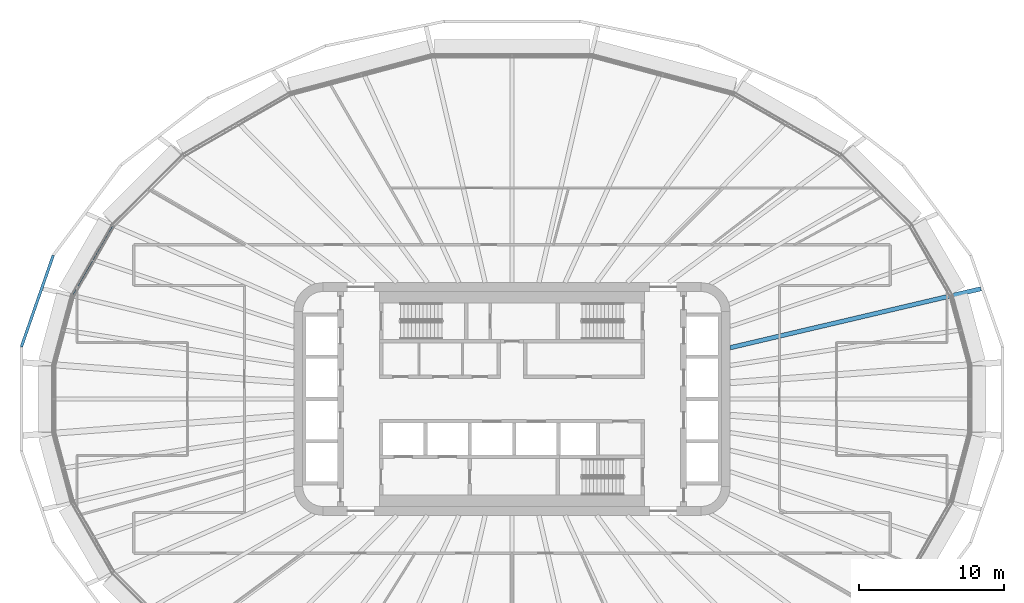
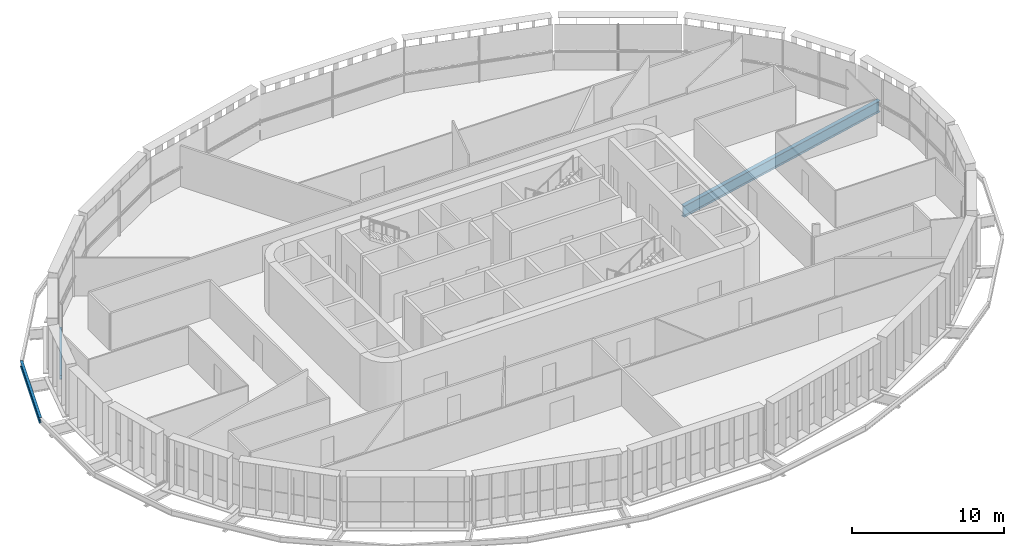
# One storey, part 6 of 25: 3 beams.
"""IFC4 building model written with IfcOpenShell, lengths in metres."""

import ifcopenshell
import ifcopenshell.guid

model = None  # the IFC model being written
_history = None  # IfcOwnerHistory: only IFC2X3 demands one
_inside = {}  # id of a spatial element -> (the spatial element, [elements in it])
_under = {}  # id of a project, library or spatial element -> (it, [spatial elements below it])
_declared = {}  # id of a project -> (the project, [libraries it declares])
_typed = {}  # id of a type object -> (the type object, [elements of that type])
_made_of = {}  # id of a material, layer set ... -> (it, [elements and type objects made of it])


def new_model(schema):
    """Start an empty IFC model of exactly this schema.

    Asked for "IFC4X3", IfcOpenShell would pick the latest addendum, in which some entities
    have other attributes; the version numbers below select the first issue.
    IFC2X3 requires an IfcOwnerHistory on every rooted entity: one is made here for all.
    """
    global model, _history
    if schema == "IFC4X3":
        model = ifcopenshell.file(schema_version=(4, 3, 0, 0))
    else:
        model = ifcopenshell.file(schema=schema)
    _inside.clear()
    _under.clear()
    _declared.clear()
    _typed.clear()
    _made_of.clear()
    _history = None
    if model.schema == "IFC2X3":
        org = make("IfcOrganization", Name="unknown")
        user = make(
            "IfcPersonAndOrganization",
            ThePerson=make("IfcPerson", FamilyName="unknown"),
            TheOrganization=org,
        )
        app = make(
            "IfcApplication",
            ApplicationDeveloper=org,
            Version="unknown",
            ApplicationFullName="unknown",
            ApplicationIdentifier="unknown",
        )
        _history = make(
            "IfcOwnerHistory",
            OwningUser=user,
            OwningApplication=app,
            ChangeAction="ADDED",
            CreationDate=0,
        )
    return model


def make(cls, **values):
    """One entity of the class cls with the attributes given. An attribute that is None is left unset."""
    return model.create_entity(
        cls, **{name: value for name, value in values.items() if value is not None}
    )


def rooted(cls, **values):
    """An entity with a GlobalId (a new one), such as an element, a storey or a relation."""
    return make(cls, GlobalId=ifcopenshell.guid.new(), OwnerHistory=_history, **values)


def si_unit(unit_type, name, prefix=None):
    """IfcSIUnit, for example si_unit("LENGTHUNIT", "METRE", prefix="MILLI")."""
    return make("IfcSIUnit", UnitType=unit_type, Prefix=prefix, Name=name)


def assignment(units):
    """IfcUnitAssignment: the units of a project."""
    return None if units is None else make("IfcUnitAssignment", Units=units)


def point(xyz):
    """IfcCartesianPoint."""
    return None if xyz is None else make("IfcCartesianPoint", Coordinates=xyz)


def direction(xyz):
    """IfcDirection."""
    return None if xyz is None else make("IfcDirection", DirectionRatios=xyz)


def frame(location, z_axis=None, x_axis=None):
    """IfcAxis2Placement3D, a coordinate frame: its origin and axes. An axis left out is left unset."""
    return make(
        "IfcAxis2Placement3D",
        Location=point(location),
        Axis=direction(z_axis),
        RefDirection=direction(x_axis),
    )


def frame_2d(location, x_axis=None):
    """IfcAxis2Placement2D, a coordinate frame in the plane: its origin and x axis."""
    return make(
        "IfcAxis2Placement2D", Location=point(location), RefDirection=direction(x_axis)
    )


def origin():
    """The frame at (0, 0, 0) with its axes left unset."""
    return frame((0.0, 0.0, 0.0))


def origin_2d():
    """The frame at (0, 0) in the plane with its x axis left unset."""
    return frame_2d((0.0, 0.0))


def place(relative_to, where):
    """IfcLocalPlacement: puts the frame where relative to a parent placement (None: the world)."""
    return make(
        "IfcLocalPlacement", PlacementRelTo=relative_to, RelativePlacement=where
    )


def context(
    kind, dimensions, precision=None, world=None, true_north=None, identifier=None
):
    """IfcGeometricRepresentationContext, for example the 3D "Model" context."""
    return make(
        "IfcGeometricRepresentationContext",
        ContextIdentifier=identifier,
        ContextType=kind,
        CoordinateSpaceDimension=dimensions,
        Precision=precision,
        WorldCoordinateSystem=world,
        TrueNorth=true_north,
    )


def subcontext(parent, identifier, kind, view, scale=None):
    """IfcGeometricRepresentationSubContext, for example "Body" below "Model"."""
    return make(
        "IfcGeometricRepresentationSubContext",
        ContextIdentifier=identifier,
        ContextType=kind,
        ParentContext=parent,
        TargetScale=scale,
        TargetView=view,
    )


def project(units=None, contexts=None):
    """IfcProject with its units and contexts."""
    return rooted(
        "IfcProject",
        Name="project",
        RepresentationContexts=contexts,
        UnitsInContext=assignment(units),
    )


def spatial(cls, under=None, at=None, **own):
    """A site, building, storey or space (cls), placed at a placement, below another one or the project."""
    s = rooted(cls, ObjectPlacement=at, **own)
    if under is not None:
        _under.setdefault(under.id(), (under, []))[1].append(s)
    return s


def profile(cls, at=None, kind="AREA", **sizes):
    """A parametric profile (cls). Its sizes go by their IFC names, for example OverallWidth=200.0."""
    return make(cls, ProfileType=kind, Position=at, **sizes)


def i_section(**sizes):
    """IfcIShapeProfileDef."""
    return profile("IfcIShapeProfileDef", **sizes)


def extrude(swept, where, along, depth):
    """IfcExtrudedAreaSolid: the profile swept, set in the frame where, extruded along a direction by depth."""
    return make(
        "IfcExtrudedAreaSolid",
        SweptArea=swept,
        Position=where,
        ExtrudedDirection=direction(along),
        Depth=depth,
    )


def shape(context_of_items, identifier, shape_type, items):
    """IfcShapeRepresentation: the items that make up one representation, for example the "Body"."""
    return make(
        "IfcShapeRepresentation",
        ContextOfItems=context_of_items,
        RepresentationIdentifier=identifier,
        RepresentationType=shape_type,
        Items=items,
    )


def material(Name=None, Category=None):
    """IfcMaterial."""
    return make("IfcMaterial", Name=Name, Category=Category)


def material_profile(
    of_material, cross_section, Name=None, Category=None, Priority=None
):
    """IfcMaterialProfile: a cross section and its material."""
    return make(
        "IfcMaterialProfile",
        Name=Name,
        Material=of_material,
        Profile=cross_section,
        Priority=Priority,
        Category=Category,
    )


def profile_set(profiles, Name=None, composite=None):
    """IfcMaterialProfileSet."""
    return make(
        "IfcMaterialProfileSet",
        Name=Name,
        MaterialProfiles=profiles,
        CompositeProfile=composite,
    )


def made_of(thing, what):
    """Note that an element or type object is made of a material, layer set ...; save() writes the relation."""
    if what is not None:
        _made_of.setdefault(what.id(), (what, []))[1].append(thing)
    return thing


def type_object(cls, material=None, **own):
    """A type object (cls), such as IfcWallType, which elements share."""
    return made_of(rooted(cls, **own), material)


def element(
    cls,
    number,
    at=None,
    inside=None,
    cuts=None,
    type_object=None,
    material=None,
    context=None,
    identifier="Body",
    shape_type=None,
    held_by="IfcProductDefinitionShape",
    body=None,
    shapes=None,
    **own,
):
    """One element of the class cls, such as IfcWall. Its Tag is "e" and its number.

    at: its placement. inside: the storey or other place that contains it. cuts: it is an
    opening in that element (IfcRelVoidsElement). A single representation is given by context,
    identifier, shape_type and body (its items); several are given by shapes. held_by: the class
    of the entity that holds the representations. save() writes the other relations.
    """
    e = rooted(cls, Tag="e%d" % number, ObjectPlacement=at, **own)
    if body is not None:
        shapes = [shape(context, identifier, shape_type, body)]
    if shapes is not None:
        e.Representation = make(held_by, Representations=shapes)
    if inside is not None:
        _inside.setdefault(inside.id(), (inside, []))[1].append(e)
    if cuts is not None:
        rooted(
            "IfcRelVoidsElement", RelatingBuildingElement=cuts, RelatedOpeningElement=e
        )
    if type_object is not None:
        _typed.setdefault(type_object.id(), (type_object, []))[1].append(e)
    return made_of(e, material)


def aggregate(whole, parts):
    """IfcRelAggregates: a whole, such as a stair, and the parts it consists of."""
    return rooted("IfcRelAggregates", RelatingObject=whole, RelatedObjects=parts)


def save(model, path):
    """Write the relations noted so far, then the file.

    IfcRelAggregates (storeys below a building ...), IfcRelContainedInSpatialStructure (elements
    in a storey), IfcRelDefinesByType, IfcRelAssociatesMaterial and IfcRelDeclares: one each for
    every whole, place, type object, material and project.
    """
    for whole, parts in _under.values():
        aggregate(whole, parts)
    for where, things in _inside.values():
        rooted(
            "IfcRelContainedInSpatialStructure",
            RelatedElements=things,
            RelatingStructure=where,
        )
    for kind, things in _typed.values():
        rooted("IfcRelDefinesByType", RelatedObjects=things, RelatingType=kind)
    for what, things in _made_of.values():
        rooted("IfcRelAssociatesMaterial", RelatedObjects=things, RelatingMaterial=what)
    for by, libraries in _declared.values():
        rooted("IfcRelDeclares", RelatingContext=by, RelatedDefinitions=libraries)
    model.write(path)


model = new_model("IFC4")

# Units and contexts
model_context = context("Model", 3, precision=1e-05, world=origin(), true_north=direction((0.0, 1.0)))
body_context = subcontext(model_context, "Body", "Model", "MODEL_VIEW")
ifc_project = project(units=[si_unit("LENGTHUNIT", "METRE"), si_unit("AREAUNIT", "SQUARE_METRE"), si_unit("VOLUMEUNIT", "CUBIC_METRE"), si_unit("PLANEANGLEUNIT", "RADIAN"), si_unit("MASSUNIT", "GRAM", prefix="KILO")], contexts=[model_context])

# Site, building, storey
site_placement = place(None, origin())
site = spatial("IfcSite", under=ifc_project, at=site_placement, CompositionType="ELEMENT")
building_placement = place(site_placement, origin())
building = spatial("IfcBuilding", under=site, at=building_placement, Name="Sahrelin Media Tower", CompositionType="ELEMENT")
storey_placement = place(building_placement, frame((0.0, 0.0, 139.800048828125)))
storey = spatial("IfcBuildingStorey", under=building, at=storey_placement, Name="L28", CompositionType="ELEMENT", Elevation=139.800048828125)

# Beams
ifc_material = material(Name="Steel S355", Category="steel")
ifc_material_profile_1 = material_profile(ifc_material, i_section(OverallWidth=0.1650390625, OverallDepth=0.303466796875, WebThickness=0.006103515625, FlangeThickness=0.01025390625, FilletRadius=0.0087890625, at=origin_2d()), Name="UB 305x165x40")
ifc_profile_set_1 = profile_set([ifc_material_profile_1], Name="Steel S355")
beam_type_1 = type_object("IfcBeamType", Name="Edge beam EB2", PredefinedType="BEAM", material=ifc_profile_set_1)
beam_1_placement = place(storey_placement, frame((-30.15478515625, 7.07861328125, -0.3017578125), z_axis=(0.500036242679, 0.866004478053, 0.0), x_axis=(-0.866004478053, 0.500036242679, 0.0)))
element("IfcBeam", 1, at=beam_1_placement, inside=storey, type_object=beam_type_1, Name="Edge beam L28-15", PredefinedType="BEAM", context=body_context, shape_type="SweptSolid", body=[
    extrude(i_section(OverallWidth=0.1650390625, OverallDepth=0.303466796875, WebThickness=0.006103515625, FlangeThickness=0.01025390625, FilletRadius=0.0087890625, at=origin_2d()), origin(), (0.0, 0.0, 1.0), 5.544921875),
])
ifc_material_profile_2 = material_profile(ifc_material, i_section(OverallWidth=0.30322265625, OverallDepth=0.903076171875, WebThickness=0.01513671875, FlangeThickness=0.020263671875, FilletRadius=0.01904296875, at=origin_2d()), Name="UB 914x305x201")
ifc_profile_set_2 = profile_set([ifc_material_profile_2], Name="Steel S355")
beam_type_2 = type_object("IfcBeamType", Name="Radial primary beam PB11", PredefinedType="BEAM", material=ifc_profile_set_2)
beam_2_placement = place(storey_placement, frame((15.0, 3.5263671875, -0.6015625), z_axis=(0.973461266293, 0.228851836406, 0.0), x_axis=(-0.228851836406, 0.973461266293, 0.0)))
element("IfcBeam", 2, at=beam_2_placement, inside=storey, type_object=beam_type_2, Name="Radial beam L28-02", PredefinedType="BEAM", context=body_context, shape_type="SweptSolid", body=[
    extrude(i_section(OverallWidth=0.30322265625, OverallDepth=0.903076171875, WebThickness=0.01513671875, FlangeThickness=0.020263671875, FilletRadius=0.01904296875, at=origin_2d()), origin(), (0.0, 0.0, 1.0), 17.708984375),
])
ifc_material_profile_3 = material_profile(ifc_material, i_section(OverallWidth=0.1904296875, OverallDepth=0.45703125, WebThickness=0.009033203125, FlangeThickness=0.014404296875, FilletRadius=0.01025390625, at=origin_2d()), Name="UB 457x191x74")
ifc_profile_set_3 = profile_set([ifc_material_profile_3], Name="Steel S355")
beam_type_3 = type_object("IfcBeamType", Name="Tie chord TC5", PredefinedType="BEAM", material=ifc_profile_set_3)
beam_3_placement = place(storey_placement, frame((-31.54052734375, 9.87548828125, -0.378662109375), z_axis=(-0.328759486364, -0.944413680611, 0.0), x_axis=(0.944413680611, -0.328759486364, 0.0)))
element("IfcBeam", 3, at=beam_3_placement, inside=storey, type_object=beam_type_3, Name="Tie chord L28-11", PredefinedType="BEAM", context=body_context, shape_type="SweptSolid", body=[
    extrude(i_section(OverallWidth=0.1904296875, OverallDepth=0.45703125, WebThickness=0.009033203125, FlangeThickness=0.014404296875, FilletRadius=0.01025390625, at=origin_2d()), origin(), (0.0, 0.0, 1.0), 6.65966796875),
])

save(model, "model.ifc")
